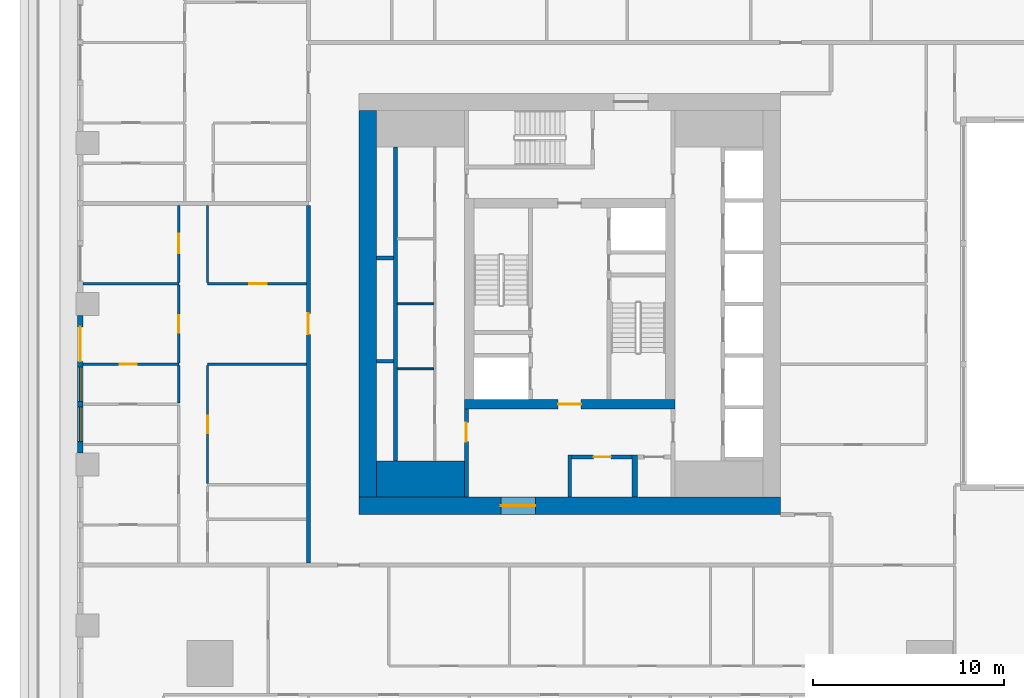
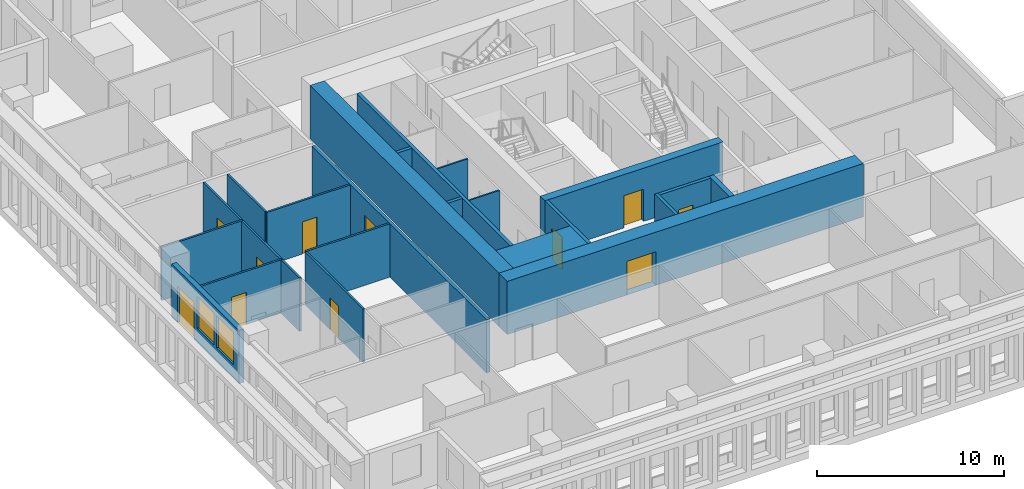
# One storey, part 3 of 15: 24 walls, 11 doors, 2 windows, 13 openings.
"""IFC4 building model written with IfcOpenShell, lengths in metres."""

import ifcopenshell
import ifcopenshell.guid

model = None  # the IFC model being written
_history = None  # IfcOwnerHistory: only IFC2X3 demands one
_inside = {}  # id of a spatial element -> (the spatial element, [elements in it])
_under = {}  # id of a project, library or spatial element -> (it, [spatial elements below it])
_declared = {}  # id of a project -> (the project, [libraries it declares])
_typed = {}  # id of a type object -> (the type object, [elements of that type])
_made_of = {}  # id of a material, layer set ... -> (it, [elements and type objects made of it])


def new_model(schema):
    """Start an empty IFC model of exactly this schema.

    Asked for "IFC4X3", IfcOpenShell would pick the latest addendum, in which some entities
    have other attributes; the version numbers below select the first issue.
    IFC2X3 requires an IfcOwnerHistory on every rooted entity: one is made here for all.
    """
    global model, _history
    if schema == "IFC4X3":
        model = ifcopenshell.file(schema_version=(4, 3, 0, 0))
    else:
        model = ifcopenshell.file(schema=schema)
    _inside.clear()
    _under.clear()
    _declared.clear()
    _typed.clear()
    _made_of.clear()
    _history = None
    if model.schema == "IFC2X3":
        org = make("IfcOrganization", Name="unknown")
        user = make(
            "IfcPersonAndOrganization",
            ThePerson=make("IfcPerson", FamilyName="unknown"),
            TheOrganization=org,
        )
        app = make(
            "IfcApplication",
            ApplicationDeveloper=org,
            Version="unknown",
            ApplicationFullName="unknown",
            ApplicationIdentifier="unknown",
        )
        _history = make(
            "IfcOwnerHistory",
            OwningUser=user,
            OwningApplication=app,
            ChangeAction="ADDED",
            CreationDate=0,
        )
    return model


def make(cls, **values):
    """One entity of the class cls with the attributes given. An attribute that is None is left unset."""
    return model.create_entity(
        cls, **{name: value for name, value in values.items() if value is not None}
    )


def rooted(cls, **values):
    """An entity with a GlobalId (a new one), such as an element, a storey or a relation."""
    return make(cls, GlobalId=ifcopenshell.guid.new(), OwnerHistory=_history, **values)


def si_unit(unit_type, name, prefix=None):
    """IfcSIUnit, for example si_unit("LENGTHUNIT", "METRE", prefix="MILLI")."""
    return make("IfcSIUnit", UnitType=unit_type, Prefix=prefix, Name=name)


def assignment(units):
    """IfcUnitAssignment: the units of a project."""
    return None if units is None else make("IfcUnitAssignment", Units=units)


def point(xyz):
    """IfcCartesianPoint."""
    return None if xyz is None else make("IfcCartesianPoint", Coordinates=xyz)


def direction(xyz):
    """IfcDirection."""
    return None if xyz is None else make("IfcDirection", DirectionRatios=xyz)


def frame(location, z_axis=None, x_axis=None):
    """IfcAxis2Placement3D, a coordinate frame: its origin and axes. An axis left out is left unset."""
    return make(
        "IfcAxis2Placement3D",
        Location=point(location),
        Axis=direction(z_axis),
        RefDirection=direction(x_axis),
    )


def frame_2d(location, x_axis=None):
    """IfcAxis2Placement2D, a coordinate frame in the plane: its origin and x axis."""
    return make(
        "IfcAxis2Placement2D", Location=point(location), RefDirection=direction(x_axis)
    )


def origin():
    """The frame at (0, 0, 0) with its axes left unset."""
    return frame((0.0, 0.0, 0.0))


def place(relative_to, where):
    """IfcLocalPlacement: puts the frame where relative to a parent placement (None: the world)."""
    return make(
        "IfcLocalPlacement", PlacementRelTo=relative_to, RelativePlacement=where
    )


def context(
    kind, dimensions, precision=None, world=None, true_north=None, identifier=None
):
    """IfcGeometricRepresentationContext, for example the 3D "Model" context."""
    return make(
        "IfcGeometricRepresentationContext",
        ContextIdentifier=identifier,
        ContextType=kind,
        CoordinateSpaceDimension=dimensions,
        Precision=precision,
        WorldCoordinateSystem=world,
        TrueNorth=true_north,
    )


def subcontext(parent, identifier, kind, view, scale=None):
    """IfcGeometricRepresentationSubContext, for example "Body" below "Model"."""
    return make(
        "IfcGeometricRepresentationSubContext",
        ContextIdentifier=identifier,
        ContextType=kind,
        ParentContext=parent,
        TargetScale=scale,
        TargetView=view,
    )


def project(units=None, contexts=None):
    """IfcProject with its units and contexts."""
    return rooted(
        "IfcProject",
        Name="project",
        RepresentationContexts=contexts,
        UnitsInContext=assignment(units),
    )


def spatial(cls, under=None, at=None, **own):
    """A site, building, storey or space (cls), placed at a placement, below another one or the project."""
    s = rooted(cls, ObjectPlacement=at, **own)
    if under is not None:
        _under.setdefault(under.id(), (under, []))[1].append(s)
    return s


def profile(cls, at=None, kind="AREA", **sizes):
    """A parametric profile (cls). Its sizes go by their IFC names, for example OverallWidth=200.0."""
    return make(cls, ProfileType=kind, Position=at, **sizes)


def rectangle(**sizes):
    """IfcRectangleProfileDef."""
    return profile("IfcRectangleProfileDef", **sizes)


def extrude(swept, where, along, depth):
    """IfcExtrudedAreaSolid: the profile swept, set in the frame where, extruded along a direction by depth."""
    return make(
        "IfcExtrudedAreaSolid",
        SweptArea=swept,
        Position=where,
        ExtrudedDirection=direction(along),
        Depth=depth,
    )


def shape(context_of_items, identifier, shape_type, items):
    """IfcShapeRepresentation: the items that make up one representation, for example the "Body"."""
    return make(
        "IfcShapeRepresentation",
        ContextOfItems=context_of_items,
        RepresentationIdentifier=identifier,
        RepresentationType=shape_type,
        Items=items,
    )


def material(Name=None, Category=None):
    """IfcMaterial."""
    return make("IfcMaterial", Name=Name, Category=Category)


def layer(
    of_material, thickness, ventilated=None, Name=None, Category=None, Priority=None
):
    """IfcMaterialLayer: one layer of a wall or slab, of a material (None: an air gap)."""
    return make(
        "IfcMaterialLayer",
        Material=of_material,
        LayerThickness=thickness,
        IsVentilated=ventilated,
        Name=Name,
        Category=Category,
        Priority=Priority,
    )


def layer_set(layers, Name=None):
    """IfcMaterialLayerSet."""
    return make("IfcMaterialLayerSet", MaterialLayers=layers, LayerSetName=Name)


def made_of(thing, what):
    """Note that an element or type object is made of a material, layer set ...; save() writes the relation."""
    if what is not None:
        _made_of.setdefault(what.id(), (what, []))[1].append(thing)
    return thing


def type_object(cls, material=None, **own):
    """A type object (cls), such as IfcWallType, which elements share."""
    return made_of(rooted(cls, **own), material)


def element(
    cls,
    number,
    at=None,
    inside=None,
    cuts=None,
    type_object=None,
    material=None,
    context=None,
    identifier="Body",
    shape_type=None,
    held_by="IfcProductDefinitionShape",
    body=None,
    shapes=None,
    **own,
):
    """One element of the class cls, such as IfcWall. Its Tag is "e" and its number.

    at: its placement. inside: the storey or other place that contains it. cuts: it is an
    opening in that element (IfcRelVoidsElement). A single representation is given by context,
    identifier, shape_type and body (its items); several are given by shapes. held_by: the class
    of the entity that holds the representations. save() writes the other relations.
    """
    e = rooted(cls, Tag="e%d" % number, ObjectPlacement=at, **own)
    if body is not None:
        shapes = [shape(context, identifier, shape_type, body)]
    if shapes is not None:
        e.Representation = make(held_by, Representations=shapes)
    if inside is not None:
        _inside.setdefault(inside.id(), (inside, []))[1].append(e)
    if cuts is not None:
        rooted(
            "IfcRelVoidsElement", RelatingBuildingElement=cuts, RelatedOpeningElement=e
        )
    if type_object is not None:
        _typed.setdefault(type_object.id(), (type_object, []))[1].append(e)
    return made_of(e, material)


def fill(opening, filler):
    """IfcRelFillsElement: the door or window that sits in an opening."""
    return rooted(
        "IfcRelFillsElement",
        RelatingOpeningElement=opening,
        RelatedBuildingElement=filler,
    )


def aggregate(whole, parts):
    """IfcRelAggregates: a whole, such as a stair, and the parts it consists of."""
    return rooted("IfcRelAggregates", RelatingObject=whole, RelatedObjects=parts)


def save(model, path):
    """Write the relations noted so far, then the file.

    IfcRelAggregates (storeys below a building ...), IfcRelContainedInSpatialStructure (elements
    in a storey), IfcRelDefinesByType, IfcRelAssociatesMaterial and IfcRelDeclares: one each for
    every whole, place, type object, material and project.
    """
    for whole, parts in _under.values():
        aggregate(whole, parts)
    for where, things in _inside.values():
        rooted(
            "IfcRelContainedInSpatialStructure",
            RelatedElements=things,
            RelatingStructure=where,
        )
    for kind, things in _typed.values():
        rooted("IfcRelDefinesByType", RelatedObjects=things, RelatingType=kind)
    for what, things in _made_of.values():
        rooted("IfcRelAssociatesMaterial", RelatedObjects=things, RelatingMaterial=what)
    for by, libraries in _declared.values():
        rooted("IfcRelDeclares", RelatingContext=by, RelatedDefinitions=libraries)
    model.write(path)


model = new_model("IFC4")

# Units and contexts
model_context = context("Model", 3, precision=1e-05, world=origin(), true_north=direction((0.0, 1.0)))
body_context = subcontext(model_context, "Body", "Model", "MODEL_VIEW")
ifc_project = project(units=[si_unit("LENGTHUNIT", "METRE"), si_unit("AREAUNIT", "SQUARE_METRE"), si_unit("VOLUMEUNIT", "CUBIC_METRE"), si_unit("PLANEANGLEUNIT", "RADIAN"), si_unit("MASSUNIT", "GRAM", prefix="KILO")], contexts=[model_context])

# Site, building, storey
site_placement = place(None, origin())
site = spatial("IfcSite", under=ifc_project, at=site_placement, CompositionType="ELEMENT")
building_placement = place(site_placement, origin())
building = spatial("IfcBuilding", under=site, at=building_placement, Name="Khepri Terraces", CompositionType="ELEMENT")
storey_placement = place(building_placement, frame((0.0, 0.0, 215.699951171875)))
storey = spatial("IfcBuildingStorey", under=building, at=storey_placement, Name="L51", CompositionType="ELEMENT", Elevation=215.699951171875)

# Walls
ifc_material_1 = material(Name="Concrete C50/60", Category="concrete")
ifc_layer_1 = layer(ifc_material_1, 1.89990234375, Name="Concrete C50/60", Category="concrete")
ifc_layer_set_1 = layer_set([ifc_layer_1], Name="Concrete C50/60")
wall_type_1 = type_object("IfcWallType", Name="Core wall 1900 C50/60", PredefinedType="SHEAR", material=ifc_layer_set_1)
wall_1_placement = place(storey_placement, frame((-10.10009765625, -9.14990234375, 0.0), z_axis=(0.0, 0.0, 1.0), x_axis=(1.0, 0.0, 0.0)))
element("IfcWall", 1, at=wall_1_placement, inside=storey, type_object=wall_type_1, Name="Core wall PR01 L51", PredefinedType="SHEAR", context=body_context, shape_type="SweptSolid", body=[
    extrude(rectangle(XDim=4.60009765625, YDim=1.89990234375, at=frame_2d((2.300048828125, 0.0))), origin(), (0.0, 0.0, 1.0), 3.47998046875),
])
ifc_layer_2 = layer(ifc_material_1, 0.199951171875, Name="Concrete C50/60", Category="concrete")
ifc_layer_set_2 = layer_set([ifc_layer_2], Name="Concrete C50/60")
wall_type_2 = type_object("IfcWallType", Name="Core wall 200 C50/60", PredefinedType="SHEAR", material=ifc_layer_set_2)
wall_2_placement = place(storey_placement, frame((-9.10009765625, -8.199951171875, 0.0), z_axis=(0.0, 0.0, 1.0), x_axis=(0.0, 1.0, 0.0)))
element("IfcWall", 2, at=wall_2_placement, inside=storey, type_object=wall_type_2, Name="Core wall SH01 L51", PredefinedType="SHEAR", context=body_context, shape_type="SweptSolid", body=[
    extrude(rectangle(XDim=16.39990234375, YDim=0.199951171875, at=frame_2d((8.199951171875, 0.0))), origin(), (0.0, 0.0, 1.0), 3.47998046875),
])
for number, where, z_axis, x_axis, name in (
    (3, (-10.10009765625, -3.0, 0.0), (0.0, 0.0, 1.0), (1.0, 0.0, 0.0), "Core wall SH06 L51"),
    (4, (-10.10009765625, 2.39990234375, 0.0), (0.0, 0.0, 1.0), (1.0, 0.0, 0.0), "Core wall SH11 L51"),
):
    element("IfcWall", number, at=place(storey_placement, frame(where, z_axis=z_axis, x_axis=x_axis)), inside=storey, type_object=wall_type_2, Name=name, PredefinedType="SHEAR", context=body_context, shape_type="SweptSolid", body=[
        extrude(rectangle(XDim=0.900146484375, YDim=0.199951171875, at=frame_2d((0.4501953125, 0.0))), origin(), (0.0, 0.0, 1.0), 3.47998046875),
    ])

# Wall, opening, door
ifc_layer_3 = layer(ifc_material_1, 0.5, Name="Concrete C50/60", Category="concrete")
ifc_layer_set_3 = layer_set([ifc_layer_3], Name="Concrete C50/60")
wall_type_3 = type_object("IfcWallType", Name="Core wall 500 C50/60", PredefinedType="SHEAR", material=ifc_layer_set_3)
wall_3_placement = place(storey_placement, frame((-5.5, -5.25, 0.0), z_axis=(0.0, 0.0, 1.0), x_axis=(1.0, 0.0, 0.0)))
wall_3 = element("IfcWall", 5, at=wall_3_placement, inside=storey, type_object=wall_type_3, Name="Core wall BX01 L51", PredefinedType="SHEAR", context=body_context, shape_type="SweptSolid", body=[
    extrude(rectangle(XDim=11.0, YDim=0.5, at=frame_2d((5.5, 0.0))), origin(), (0.0, 0.0, 1.0), 3.47998046875),
])
opening_1_placement = place(wall_3_placement, frame((4.89990234375, 0.0, 0.0)))
opening_1 = element("IfcOpeningElement", 6, at=opening_1_placement, cuts=wall_3, Name="Opening L51-C14", PredefinedType="OPENING", context=body_context, shape_type="SweptSolid", body=[
    extrude(rectangle(XDim=1.199951171875, YDim=2.10009765625, at=frame_2d((0.60009765625, 1.050048828125))), frame((0.0, 0.260009765625, 0.0), z_axis=(0.0, -1.0, 0.0), x_axis=(1.0, 0.0, 0.0)), (0.0, 0.0, 1.0), 0.52001953125),
])
ifc_material_2 = material(Name="Painted steel", Category="steel")
door_type_1 = type_object("IfcDoorType", Name="DR-CORE-FF-LOBBY-1200", OperationType="NOTDEFINED", PredefinedType="DOOR", material=ifc_material_2)
door_1_placement = place(opening_1_placement, origin())
door_1 = element("IfcDoor", 7, at=door_1_placement, inside=storey, type_object=door_type_1, Name="Firefighting lobby door L51-C14", OperationType="SINGLE_SWING_RIGHT", OverallHeight=2.10009765625, OverallWidth=1.199951171875, PredefinedType="DOOR", context=body_context, shape_type="SweptSolid", body=[
    extrude(rectangle(XDim=1.199951171875, YDim=2.10009765625, at=frame_2d((0.60009765625, 1.050048828125))), frame((0.0, 0.02490234375, 0.0), z_axis=(0.0, -1.0, 0.0), x_axis=(1.0, 0.0, 0.0)), (0.0, 0.0, 1.0), 0.050048828125),
])
fill(opening_1, door_1)

ifc_layer_4 = layer(ifc_material_1, 0.89990234375, Name="Concrete C50/60", Category="concrete")
ifc_layer_set_4 = layer_set([ifc_layer_4], Name="Concrete C50/60")
wall_type_4 = type_object("IfcWallType", Name="Core wall 900 C50/60", PredefinedType="SHEAR", material=ifc_layer_set_4)
wall_4_placement = place(storey_placement, frame((-11.0, -10.550048828125, 0.0), z_axis=(0.0, 0.0, 1.0), x_axis=(1.0, 0.0, 0.0)))
wall_4 = element("IfcWall", 8, at=wall_4_placement, inside=storey, type_object=wall_type_4, Name="Core wall OW-S L51", PredefinedType="SHEAR", context=body_context, shape_type="SweptSolid", body=[
    extrude(rectangle(XDim=22.0, YDim=0.89990234375, at=frame_2d((11.0, 0.0))), origin(), (0.0, 0.0, 1.0), 3.47998046875),
])
opening_2_placement = place(wall_4_placement, frame((7.39990234375, 0.0, 0.0)))
opening_2 = element("IfcOpeningElement", 9, at=opening_2_placement, cuts=wall_4, Name="Opening L51-C21", PredefinedType="OPENING", context=body_context, shape_type="SweptSolid", body=[
    extrude(rectangle(XDim=1.800048828125, YDim=2.199951171875, at=frame_2d((0.89990234375, 1.10009765625))), frame((0.0, 0.4599609375, 0.0), z_axis=(0.0, -1.0, 0.0), x_axis=(1.0, 0.0, 0.0)), (0.0, 0.0, 1.0), 0.919921875),
])
door_type_2 = type_object("IfcDoorType", Name="DR-CORE-ENTRANCE-1800", OperationType="NOTDEFINED", PredefinedType="DOOR", material=ifc_material_2)
door_2_placement = place(opening_2_placement, frame((1.800048828125, 0.0, 0.0), z_axis=(0.0, 0.0, 1.0), x_axis=(-1.0, 0.0, 0.0)))
door_2 = element("IfcDoor", 10, at=door_2_placement, inside=storey, type_object=door_type_2, Name="Core entrance door pair L51-C21", OperationType="DOUBLE_DOOR_SINGLE_SWING", OverallHeight=2.199951171875, OverallWidth=1.800048828125, PredefinedType="DOOR", context=body_context, shape_type="SweptSolid", body=[
    extrude(rectangle(XDim=1.800048828125, YDim=2.199951171875, at=frame_2d((0.89990234375, 1.10009765625))), frame((0.0, 0.02490234375, 0.0), z_axis=(0.0, -1.0, 0.0), x_axis=(1.0, 0.0, 0.0)), (0.0, 0.0, 1.0), 0.050048828125),
])
fill(opening_2, door_2)

# Walls
wall_5_placement = place(storey_placement, frame((-10.550048828125, -10.10009765625, 0.0), z_axis=(0.0, 0.0, 1.0), x_axis=(0.0, 1.0, 0.0)))
element("IfcWall", 11, at=wall_5_placement, inside=storey, type_object=wall_type_4, Name="Core wall OW-W L51", PredefinedType="SHEAR", context=body_context, shape_type="SweptSolid", body=[
    extrude(rectangle(XDim=20.2001953125, YDim=0.89990234375, at=frame_2d((10.10009765625, 0.0))), origin(), (0.0, 0.0, 1.0), 3.47998046875),
])
ifc_material_3 = material(Name="Fire-rated gypsum board partition")
ifc_layer_5 = layer(ifc_material_3, 0.10009765625, Name="Fire-rated gypsum board partition")
ifc_layer_set_5 = layer_set([ifc_layer_5], Name="Fire-rated gypsum board partition")
wall_type_5 = type_object("IfcWallType", Name="WL-CORE-PART-100", PredefinedType="PARTITIONING", material=ifc_layer_set_5)
for number, where, z_axis, x_axis, name in (
    (12, (-9.0, -3.39990234375, 0.0), (0.0, 0.0, 1.0), (1.0, 0.0, 0.0), "Core partition PT08 L51"),
    (13, (-9.0, 0.0, 0.0), (0.0, 0.0, 1.0), (1.0, 0.0, 0.0), "Core partition PT09 L51"),
):
    element("IfcWall", number, at=place(storey_placement, frame(where, z_axis=z_axis, x_axis=x_axis)), inside=storey, type_object=wall_type_5, Name=name, PredefinedType="PARTITIONING", context=body_context, shape_type="SweptSolid", body=[
        extrude(rectangle(XDim=1.89990234375, YDim=0.10009765625, at=frame_2d((0.949951171875, 0.0))), origin(), (0.0, 0.0, 1.0), 3.47998046875),
    ])

# Wall, opening, door
ifc_layer_6 = layer(ifc_material_3, 0.199951171875, Name="Fire-rated gypsum board partition")
ifc_layer_set_6 = layer_set([ifc_layer_6], Name="Fire-rated gypsum board partition")
wall_type_6 = type_object("IfcWallType", Name="WL-CORE-PART-200", PredefinedType="PARTITIONING", material=ifc_layer_set_6)
wall_6_placement = place(storey_placement, frame((-5.39990234375, -10.10009765625, 0.0), z_axis=(0.0, 0.0, 1.0), x_axis=(0.0, 1.0, 0.0)))
wall_6 = element("IfcWall", 14, at=wall_6_placement, inside=storey, type_object=wall_type_6, Name="Core partition PT01 L51", PredefinedType="PARTITIONING", context=body_context, shape_type="SweptSolid", body=[
    extrude(rectangle(XDim=4.60009765625, YDim=0.199951171875, at=frame_2d((2.300048828125, 0.0))), origin(), (0.0, 0.0, 1.0), 3.47998046875),
])
opening_3_placement = place(wall_6_placement, frame((2.89990234375, 0.0, 0.0)))
opening_3 = element("IfcOpeningElement", 15, at=opening_3_placement, cuts=wall_6, Name="Opening L51-C18", PredefinedType="OPENING", context=body_context, shape_type="SweptSolid", body=[
    extrude(rectangle(XDim=1.0, YDim=2.10009765625, at=frame_2d((0.5, 1.050048828125))), frame((0.0, 0.10986328125, 0.0), z_axis=(0.0, -1.0, 0.0), x_axis=(1.0, 0.0, 0.0)), (0.0, 0.0, 1.0), 0.219970703125),
])
door_type_3 = type_object("IfcDoorType", Name="DR-CORE-LOBBY-1000", OperationType="NOTDEFINED", PredefinedType="DOOR", material=ifc_material_2)
door_3_placement = place(opening_3_placement, frame((1.0, 0.0, 0.0), z_axis=(0.0, 0.0, 1.0), x_axis=(-1.0, 0.0, 0.0)))
door_3 = element("IfcDoor", 16, at=door_3_placement, inside=storey, type_object=door_type_3, Name="Lobby door L51-C18", OperationType="SINGLE_SWING_LEFT", OverallHeight=2.10009765625, OverallWidth=1.0, PredefinedType="DOOR", context=body_context, shape_type="SweptSolid", body=[
    extrude(rectangle(XDim=1.0, YDim=2.10009765625, at=frame_2d((0.5, 1.050048828125))), frame((0.0, 0.02490234375, 0.0), z_axis=(0.0, -1.0, 0.0), x_axis=(1.0, 0.0, 0.0)), (0.0, 0.0, 1.0), 0.050048828125),
])
fill(opening_3, door_3)

# Wall
wall_7_placement = place(storey_placement, frame((0.0, -10.10009765625, 0.0), z_axis=(0.0, 0.0, 1.0), x_axis=(0.0, 1.0, 0.0)))
element("IfcWall", 17, at=wall_7_placement, inside=storey, type_object=wall_type_6, Name="Core partition PT02 L51", PredefinedType="PARTITIONING", context=body_context, shape_type="SweptSolid", body=[
    extrude(rectangle(XDim=2.2001953125, YDim=0.199951171875, at=frame_2d((1.10009765625, 0.0))), origin(), (0.0, 0.0, 1.0), 3.47998046875),
])

# Wall, opening, door
wall_8_placement = place(storey_placement, frame((0.10009765625, -8.0, 0.0), z_axis=(0.0, 0.0, 1.0), x_axis=(1.0, 0.0, 0.0)))
wall_8 = element("IfcWall", 18, at=wall_8_placement, inside=storey, type_object=wall_type_6, Name="Core partition PT06 L51", PredefinedType="PARTITIONING", context=body_context, shape_type="SweptSolid", body=[
    extrude(rectangle(XDim=3.14990234375, YDim=0.199951171875, at=frame_2d((1.574951171875, 0.0))), origin(), (0.0, 0.0, 1.0), 3.47998046875),
])
opening_4_placement = place(wall_8_placement, frame((1.14990234375, 0.0, 0.0)))
opening_4 = element("IfcOpeningElement", 19, at=opening_4_placement, cuts=wall_8, Name="Opening L51-C22", PredefinedType="OPENING", context=body_context, shape_type="SweptSolid", body=[
    extrude(rectangle(XDim=0.89990234375, YDim=2.10009765625, at=frame_2d((0.449951171875, 1.050048828125))), frame((0.0, 0.10986328125, 0.0), z_axis=(0.0, -1.0, 0.0), x_axis=(1.0, 0.0, 0.0)), (0.0, 0.0, 1.0), 0.219970703125),
])
door_type_4 = type_object("IfcDoorType", Name="DR-CORE-SERVICE-900", OperationType="NOTDEFINED", PredefinedType="DOOR", material=ifc_material_2)
door_4_placement = place(opening_4_placement, frame((0.89990234375, 0.0, 0.0), z_axis=(0.0, 0.0, 1.0), x_axis=(-1.0, 0.0, 0.0)))
door_4 = element("IfcDoor", 20, at=door_4_placement, inside=storey, type_object=door_type_4, Name="Service room door L51-C22", OperationType="SINGLE_SWING_LEFT", OverallHeight=2.10009765625, OverallWidth=0.89990234375, PredefinedType="DOOR", context=body_context, shape_type="SweptSolid", body=[
    extrude(rectangle(XDim=0.89990234375, YDim=2.10009765625, at=frame_2d((0.449951171875, 1.050048828125))), frame((0.0, 0.02490234375, 0.0), z_axis=(0.0, -1.0, 0.0), x_axis=(1.0, 0.0, 0.0)), (0.0, 0.0, 1.0), 0.050048828125),
])
fill(opening_4, door_4)

# Wall
ifc_layer_7 = layer(ifc_material_3, 0.300048828125, Name="Fire-rated gypsum board partition")
ifc_layer_set_7 = layer_set([ifc_layer_7], Name="Fire-rated gypsum board partition")
wall_type_7 = type_object("IfcWallType", Name="WL-CORE-PART-300", PredefinedType="PARTITIONING", material=ifc_layer_set_7)
wall_9_placement = place(storey_placement, frame((3.39990234375, -10.10009765625, 0.0), z_axis=(0.0, 0.0, 1.0), x_axis=(0.0, 1.0, 0.0)))
element("IfcWall", 21, at=wall_9_placement, inside=storey, type_object=wall_type_7, Name="Core partition PT03 L51", PredefinedType="PARTITIONING", context=body_context, shape_type="SweptSolid", body=[
    extrude(rectangle(XDim=2.2001953125, YDim=0.300048828125, at=frame_2d((1.10009765625, 0.0))), origin(), (0.0, 0.0, 1.0), 3.47998046875),
])

# Wall, opening, door
ifc_material_4 = material(Name="Fire-rated gypsum plasterboard partition, mineral wool")
ifc_layer_8 = layer(ifc_material_4, 0.199951171875, Name="Fire-rated gypsum plasterboard partition, mineral wool")
ifc_layer_set_8 = layer_set([ifc_layer_8], Name="Fire-rated gypsum plasterboard partition, mineral wool")
wall_type_8 = type_object("IfcWallType", Name="WL-CORR-200", PredefinedType="PARTITIONING", material=ifc_layer_set_8)
wall_10_placement = place(storey_placement, frame((-13.64990234375, -13.550048828125, 0.0), z_axis=(0.0, 0.0, 1.0), x_axis=(0.0, 1.0, 0.0)))
wall_10 = element("IfcWall", 22, at=wall_10_placement, inside=storey, type_object=wall_type_8, Name="Partition P-023 L51", PredefinedType="PARTITIONING", context=body_context, shape_type="SweptSolid", body=[
    extrude(rectangle(XDim=18.699951171875, YDim=0.199951171875, at=frame_2d((9.35009765625, 0.0))), origin(), (0.0, 0.0, 1.0), 3.47998046875),
])
opening_5_placement = place(wall_10_placement, frame((11.949951171875, 0.0, 0.0)))
opening_5 = element("IfcOpeningElement", 23, at=opening_5_placement, cuts=wall_10, Name="Opening D1", PredefinedType="OPENING", context=body_context, shape_type="SweptSolid", body=[
    extrude(rectangle(XDim=1.10009765625, YDim=2.39990234375, at=frame_2d((0.550048828125, 1.199951171875))), frame((0.0, 0.10986328125, 0.0), z_axis=(0.0, -1.0, 0.0), x_axis=(1.0, 0.0, 0.0)), (0.0, 0.0, 1.0), 0.219970703125),
])
ifc_material_5 = material(Name="Solid-core timber door leaf, flat entrance door", Category="wood")
door_type_5 = type_object("IfcDoorType", Name="DR-ENT-1100", OperationType="NOTDEFINED", PredefinedType="DOOR", material=ifc_material_5)
door_5_placement = place(opening_5_placement, origin())
door_5 = element("IfcDoor", 24, at=door_5_placement, inside=storey, type_object=door_type_5, Name="Flat D2 entrance door", OperationType="SINGLE_SWING_RIGHT", OverallHeight=2.39990234375, OverallWidth=1.10009765625, PredefinedType="DOOR", context=body_context, shape_type="SweptSolid", body=[
    extrude(rectangle(XDim=1.10009765625, YDim=2.39990234375, at=frame_2d((0.550048828125, 1.199951171875))), frame((0.0, 0.02490234375, 0.0), z_axis=(0.0, -1.0, 0.0), x_axis=(1.0, 0.0, 0.0)), (0.0, 0.0, 1.0), 0.050048828125),
])
fill(opening_5, door_5)

# Wall, openings, door, windows
ifc_material_6 = material(Name="Precast concrete C50/60 warm stone", Category="masonry")
ifc_layer_9 = layer(ifc_material_6, 0.300048828125, Name="Precast concrete C50/60 warm stone", Category="masonry")
ifc_layer_set_9 = layer_set([ifc_layer_9], Name="Precast concrete C50/60 warm stone")
wall_type_9 = type_object("IfcWallType", Name="WL-EXT-PRECAST-300", PredefinedType="STANDARD", material=ifc_layer_set_9)
wall_11_placement = place(storey_placement, frame((-25.570068359375, -0.60009765625, 0.0), z_axis=(0.0, 0.0, 1.0), x_axis=(0.0, -1.0, 0.0)))
wall_11 = element("IfcWall", 25, at=wall_11_placement, inside=storey, type_object=wall_type_9, Name="External wall L51 W", PredefinedType="STANDARD", context=body_context, shape_type="SweptSolid", body=[
    extrude(rectangle(XDim=7.199951171875, YDim=0.300048828125, at=frame_2d((3.60009765625, 0.0))), origin(), (0.0, 0.0, 1.0), 3.47998046875),
])
opening_6_placement = place(wall_11_placement, frame((0.60009765625, 0.0, 0.0)))
opening_6 = element("IfcOpeningElement", 26, at=opening_6_placement, cuts=wall_11, Name="Opening ED-L51-14", PredefinedType="OPENING", context=body_context, shape_type="SweptSolid", body=[
    extrude(rectangle(XDim=1.800048828125, YDim=2.39990234375, at=frame_2d((0.89990234375, 1.199951171875))), frame((0.0, 0.16015625, 0.0), z_axis=(0.0, -1.0, 0.0), x_axis=(1.0, 0.0, 0.0)), (0.0, 0.0, 1.0), 0.320068359375),
])
opening_7_placement = place(wall_11_placement, frame((2.699951171875, 0.0, 0.89990234375)))
opening_7 = element("IfcOpeningElement", 27, at=opening_7_placement, cuts=wall_11, Name="Opening W1", PredefinedType="OPENING", context=body_context, shape_type="SweptSolid", body=[
    extrude(rectangle(XDim=1.800048828125, YDim=2.10009765625, at=frame_2d((0.89990234375, 1.050048828125))), frame((0.0, 0.16015625, 0.0), z_axis=(0.0, -1.0, 0.0), x_axis=(1.0, 0.0, 0.0)), (0.0, 0.0, 1.0), 0.320068359375),
])
opening_8_placement = place(wall_11_placement, frame((4.800048828125, 0.0, 0.89990234375)))
opening_8 = element("IfcOpeningElement", 28, at=opening_8_placement, cuts=wall_11, Name="Opening W1", PredefinedType="OPENING", context=body_context, shape_type="SweptSolid", body=[
    extrude(rectangle(XDim=1.800048828125, YDim=2.10009765625, at=frame_2d((0.89990234375, 1.050048828125))), frame((0.0, 0.16015625, 0.0), z_axis=(0.0, -1.0, 0.0), x_axis=(1.0, 0.0, 0.0)), (0.0, 0.0, 1.0), 0.320068359375),
])
ifc_material_7 = material(Name="Anodised aluminium bronze glazed door", Category="aluminium")
door_type_6 = type_object("IfcDoorType", Name="DR-BAL-SLIDE-1800x2400", OperationType="NOTDEFINED", PredefinedType="DOOR", material=ifc_material_7)
door_6_placement = place(opening_6_placement, origin())
door_6 = element("IfcDoor", 29, at=door_6_placement, inside=storey, type_object=door_type_6, Name="Balcony door L51 W", OperationType="SLIDING_TO_LEFT", OverallHeight=2.39990234375, OverallWidth=1.800048828125, PredefinedType="DOOR", context=body_context, shape_type="SweptSolid", body=[
    extrude(rectangle(XDim=1.800048828125, YDim=2.39990234375, at=frame_2d((0.89990234375, 1.199951171875))), frame((0.0, 0.02490234375, 0.0), z_axis=(0.0, -1.0, 0.0), x_axis=(1.0, 0.0, 0.0)), (0.0, 0.0, 1.0), 0.050048828125),
])
fill(opening_6, door_6)
ifc_material_8 = material(Name="Clear glass", Category="glass")
window_type = type_object("IfcWindowType", Name="WIN-RES-1800x2100", PartitioningType="SINGLE_PANEL", PredefinedType="WINDOW", material=ifc_material_8)
window_1_placement = place(opening_7_placement, origin())
window_1 = element("IfcWindow", 30, at=window_1_placement, inside=storey, type_object=window_type, Name="Window L51 W", OverallHeight=2.10009765625, OverallWidth=1.800048828125, PartitioningType="SINGLE_PANEL", PredefinedType="WINDOW", context=body_context, shape_type="SweptSolid", body=[
    extrude(rectangle(XDim=1.800048828125, YDim=2.10009765625, at=frame_2d((0.89990234375, 1.050048828125))), frame((0.0, 0.030029296875, 0.0), z_axis=(0.0, -1.0, 0.0), x_axis=(1.0, 0.0, 0.0)), (0.0, 0.0, 1.0), 0.06005859375),
])
fill(opening_7, window_1)
window_2_placement = place(opening_8_placement, origin())
window_2 = element("IfcWindow", 31, at=window_2_placement, inside=storey, type_object=window_type, Name="Window L51 W", OverallHeight=2.10009765625, OverallWidth=1.800048828125, PartitioningType="SINGLE_PANEL", PredefinedType="WINDOW", context=body_context, shape_type="SweptSolid", body=[
    extrude(rectangle(XDim=1.800048828125, YDim=2.10009765625, at=frame_2d((0.89990234375, 1.050048828125))), frame((0.0, 0.030029296875, 0.0), z_axis=(0.0, -1.0, 0.0), x_axis=(1.0, 0.0, 0.0)), (0.0, 0.0, 1.0), 0.06005859375),
])
fill(opening_8, window_2)

# Wall, opening, door
ifc_material_9 = material(Name="Gypsum plasterboard partition")
ifc_layer_10 = layer(ifc_material_9, 0.1201171875, Name="Gypsum plasterboard partition")
ifc_layer_set_10 = layer_set([ifc_layer_10], Name="Gypsum plasterboard partition")
wall_type_10 = type_object("IfcWallType", Name="WL-PART-120", PredefinedType="PARTITIONING", material=ifc_layer_set_10)
wall_12_placement = place(storey_placement, frame((-18.919921875, -9.389892578125, 0.0), z_axis=(0.0, 0.0, 1.0), x_axis=(0.0, 1.0, 0.0)))
wall_12 = element("IfcWall", 32, at=wall_12_placement, inside=storey, type_object=wall_type_10, Name="Partition P-032 L51", PredefinedType="PARTITIONING", context=body_context, shape_type="SweptSolid", body=[
    extrude(rectangle(XDim=6.179931640625, YDim=0.1201171875, at=frame_2d((3.08984375, 0.0))), origin(), (0.0, 0.0, 1.0), 3.47998046875),
])
opening_9_placement = place(wall_12_placement, frame((2.639892578125, 0.0, 0.0)))
opening_9 = element("IfcOpeningElement", 33, at=opening_9_placement, cuts=wall_12, Name="Opening D3", PredefinedType="OPENING", context=body_context, shape_type="SweptSolid", body=[
    extrude(rectangle(XDim=0.89990234375, YDim=2.10009765625, at=frame_2d((0.449951171875, 1.050048828125))), frame((0.0, 0.070068359375, 0.0), z_axis=(0.0, -1.0, 0.0), x_axis=(1.0, 0.0, 0.0)), (0.0, 0.0, 1.0), 0.14013671875),
])
ifc_material_10 = material(Name="Timber door leaf", Category="wood")
door_type_7 = type_object("IfcDoorType", Name="DR-INT-900", OperationType="NOTDEFINED", PredefinedType="DOOR", material=ifc_material_10)
door_7_placement = place(opening_9_placement, frame((0.89990234375, 0.0, 0.0), z_axis=(0.0, 0.0, 1.0), x_axis=(-1.0, 0.0, 0.0)))
door_7 = element("IfcDoor", 34, at=door_7_placement, inside=storey, type_object=door_type_7, Name="Door Kitchen", OperationType="SINGLE_SWING_LEFT", OverallHeight=2.10009765625, OverallWidth=0.89990234375, PredefinedType="DOOR", context=body_context, shape_type="SweptSolid", body=[
    extrude(rectangle(XDim=0.89990234375, YDim=2.10009765625, at=frame_2d((0.449951171875, 1.050048828125))), frame((0.0, 0.02490234375, 0.0), z_axis=(0.0, -1.0, 0.0), x_axis=(1.0, 0.0, 0.0)), (0.0, 0.0, 1.0), 0.050048828125),
])
fill(opening_9, door_7)

# Wall
wall_13_placement = place(storey_placement, frame((-20.419921875, -5.18994140625, 0.0), z_axis=(0.0, 0.0, 1.0), x_axis=(0.0, 1.0, 0.0)))
element("IfcWall", 35, at=wall_13_placement, inside=storey, type_object=wall_type_10, Name="Partition P-038 L51", PredefinedType="PARTITIONING", context=body_context, shape_type="SweptSolid", body=[
    extrude(rectangle(XDim=1.97998046875, YDim=0.1201171875, at=frame_2d((0.989990234375, 0.0))), origin(), (0.0, 0.0, 1.0), 3.47998046875),
])

# Wall, opening, door
wall_14_placement = place(storey_placement, frame((-25.419921875, -3.14990234375, 0.0), z_axis=(0.0, 0.0, 1.0), x_axis=(1.0, 0.0, 0.0)))
wall_14 = element("IfcWall", 36, at=wall_14_placement, inside=storey, type_object=wall_type_10, Name="Partition P-039 L51", PredefinedType="PARTITIONING", context=body_context, shape_type="SweptSolid", body=[
    extrude(rectangle(XDim=5.0, YDim=0.1201171875, at=frame_2d((2.5, 0.0))), origin(), (0.0, 0.0, 1.0), 3.47998046875),
])
opening_10_placement = place(wall_14_placement, frame((1.89990234375, 0.0, 0.0)))
opening_10 = element("IfcOpeningElement", 37, at=opening_10_placement, cuts=wall_14, Name="Opening D3", PredefinedType="OPENING", context=body_context, shape_type="SweptSolid", body=[
    extrude(rectangle(XDim=0.89990234375, YDim=2.10009765625, at=frame_2d((0.449951171875, 1.050048828125))), frame((0.0, 0.070068359375, 0.0), z_axis=(0.0, -1.0, 0.0), x_axis=(1.0, 0.0, 0.0)), (0.0, 0.0, 1.0), 0.14013671875),
])
door_8_placement = place(opening_10_placement, frame((0.89990234375, 0.0, 0.0), z_axis=(0.0, 0.0, 1.0), x_axis=(-1.0, 0.0, 0.0)))
door_8 = element("IfcDoor", 38, at=door_8_placement, inside=storey, type_object=door_type_7, Name="Door Dressing Room", OperationType="SINGLE_SWING_RIGHT", OverallHeight=2.10009765625, OverallWidth=0.89990234375, PredefinedType="DOOR", context=body_context, shape_type="SweptSolid", body=[
    extrude(rectangle(XDim=0.89990234375, YDim=2.10009765625, at=frame_2d((0.449951171875, 1.050048828125))), frame((0.0, 0.02490234375, 0.0), z_axis=(0.0, -1.0, 0.0), x_axis=(1.0, 0.0, 0.0)), (0.0, 0.0, 1.0), 0.050048828125),
])
fill(opening_10, door_8)

# Wall
wall_15_placement = place(storey_placement, frame((-18.919921875, -3.14990234375, 0.0), z_axis=(0.0, 0.0, 1.0), x_axis=(1.0, 0.0, 0.0)))
element("IfcWall", 39, at=wall_15_placement, inside=storey, type_object=wall_type_10, Name="Partition P-040 L51", PredefinedType="PARTITIONING", context=body_context, shape_type="SweptSolid", body=[
    extrude(rectangle(XDim=5.169921875, YDim=0.1201171875, at=frame_2d((2.5849609375, 0.0))), origin(), (0.0, 0.0, 1.0), 3.47998046875),
])

# Wall, opening, door
wall_16_placement = place(storey_placement, frame((-20.419921875, -3.090087890625, 0.0), z_axis=(0.0, 0.0, 1.0), x_axis=(0.0, 1.0, 0.0)))
wall_16 = element("IfcWall", 40, at=wall_16_placement, inside=storey, type_object=wall_type_10, Name="Partition P-042 L51", PredefinedType="PARTITIONING", context=body_context, shape_type="SweptSolid", body=[
    extrude(rectangle(XDim=4.080078125, YDim=0.1201171875, at=frame_2d((2.0400390625, 0.0))), origin(), (0.0, 0.0, 1.0), 3.47998046875),
])
opening_11_placement = place(wall_16_placement, frame((1.590087890625, 0.0, 0.0)))
opening_11 = element("IfcOpeningElement", 41, at=opening_11_placement, cuts=wall_16, Name="Opening D3", PredefinedType="OPENING", context=body_context, shape_type="SweptSolid", body=[
    extrude(rectangle(XDim=0.89990234375, YDim=2.10009765625, at=frame_2d((0.449951171875, 1.050048828125))), frame((0.0, 0.070068359375, 0.0), z_axis=(0.0, -1.0, 0.0), x_axis=(1.0, 0.0, 0.0)), (0.0, 0.0, 1.0), 0.14013671875),
])
door_9_placement = place(opening_11_placement, origin())
door_9 = element("IfcDoor", 42, at=door_9_placement, inside=storey, type_object=door_type_7, Name="Door Master Bedroom", OperationType="SINGLE_SWING_RIGHT", OverallHeight=2.10009765625, OverallWidth=0.89990234375, PredefinedType="DOOR", context=body_context, shape_type="SweptSolid", body=[
    extrude(rectangle(XDim=0.89990234375, YDim=2.10009765625, at=frame_2d((0.449951171875, 1.050048828125))), frame((0.0, 0.02490234375, 0.0), z_axis=(0.0, -1.0, 0.0), x_axis=(1.0, 0.0, 0.0)), (0.0, 0.0, 1.0), 0.050048828125),
])
fill(opening_11, door_9)

# Wall
wall_17_placement = place(storey_placement, frame((-25.419921875, 1.050048828125, 0.0), z_axis=(0.0, 0.0, 1.0), x_axis=(1.0, 0.0, 0.0)))
element("IfcWall", 43, at=wall_17_placement, inside=storey, type_object=wall_type_10, Name="Partition P-044 L51", PredefinedType="PARTITIONING", context=body_context, shape_type="SweptSolid", body=[
    extrude(rectangle(XDim=5.0, YDim=0.1201171875, at=frame_2d((2.5, 0.0))), origin(), (0.0, 0.0, 1.0), 3.47998046875),
])

# Wall, opening, door
wall_18_placement = place(storey_placement, frame((-18.919921875, 1.050048828125, 0.0), z_axis=(0.0, 0.0, 1.0), x_axis=(1.0, 0.0, 0.0)))
wall_18 = element("IfcWall", 44, at=wall_18_placement, inside=storey, type_object=wall_type_10, Name="Partition P-045 L51", PredefinedType="PARTITIONING", context=body_context, shape_type="SweptSolid", body=[
    extrude(rectangle(XDim=5.169921875, YDim=0.1201171875, at=frame_2d((2.5849609375, 0.0))), origin(), (0.0, 0.0, 1.0), 3.47998046875),
])
opening_12_placement = place(wall_18_placement, frame((2.18505859375, 0.0, 0.0)))
opening_12 = element("IfcOpeningElement", 45, at=opening_12_placement, cuts=wall_18, Name="Opening D4", PredefinedType="OPENING", context=body_context, shape_type="SweptSolid", body=[
    extrude(rectangle(XDim=0.89990234375, YDim=2.10009765625, at=frame_2d((0.449951171875, 1.050048828125))), frame((0.0, 0.070068359375, 0.0), z_axis=(0.0, -1.0, 0.0), x_axis=(1.0, 0.0, 0.0)), (0.0, 0.0, 1.0), 0.14013671875),
])
ifc_material_11 = material(Name="Timber door leaf, moisture resistant", Category="wood")
door_type_8 = type_object("IfcDoorType", Name="DR-WET-900", OperationType="NOTDEFINED", PredefinedType="DOOR", material=ifc_material_11)
door_10_placement = place(opening_12_placement, origin())
door_10 = element("IfcDoor", 46, at=door_10_placement, inside=storey, type_object=door_type_8, Name="Door Guest Bathroom", OperationType="SINGLE_SWING_RIGHT", OverallHeight=2.10009765625, OverallWidth=0.89990234375, PredefinedType="DOOR", context=body_context, shape_type="SweptSolid", body=[
    extrude(rectangle(XDim=0.89990234375, YDim=2.10009765625, at=frame_2d((0.449951171875, 1.050048828125))), frame((0.0, 0.02490234375, 0.0), z_axis=(0.0, -1.0, 0.0), x_axis=(1.0, 0.0, 0.0)), (0.0, 0.0, 1.0), 0.050048828125),
])
fill(opening_12, door_10)

wall_19_placement = place(storey_placement, frame((-20.419921875, 1.110107421875, 0.0), z_axis=(0.0, 0.0, 1.0), x_axis=(0.0, 1.0, 0.0)))
wall_19 = element("IfcWall", 47, at=wall_19_placement, inside=storey, type_object=wall_type_10, Name="Partition P-047 L51", PredefinedType="PARTITIONING", context=body_context, shape_type="SweptSolid", body=[
    extrude(rectangle(XDim=4.039794921875, YDim=0.1201171875, at=frame_2d((2.02001953125, 0.0))), origin(), (0.0, 0.0, 1.0), 3.47998046875),
])
opening_13_placement = place(wall_19_placement, frame((1.5400390625, 0.0, 0.0)))
opening_13 = element("IfcOpeningElement", 48, at=opening_13_placement, cuts=wall_19, Name="Opening D2", PredefinedType="OPENING", context=body_context, shape_type="SweptSolid", body=[
    extrude(rectangle(XDim=1.0, YDim=2.10009765625, at=frame_2d((0.5, 1.050048828125))), frame((0.0, 0.070068359375, 0.0), z_axis=(0.0, -1.0, 0.0), x_axis=(1.0, 0.0, 0.0)), (0.0, 0.0, 1.0), 0.14013671875),
])
ifc_material_12 = material(Name="Timber door leaf, living room door", Category="wood")
door_type_9 = type_object("IfcDoorType", Name="DR-INT-1000", OperationType="NOTDEFINED", PredefinedType="DOOR", material=ifc_material_12)
door_11_placement = place(opening_13_placement, origin())
door_11 = element("IfcDoor", 49, at=door_11_placement, inside=storey, type_object=door_type_9, Name="Door Sun Lounge", OperationType="SINGLE_SWING_RIGHT", OverallHeight=2.10009765625, OverallWidth=1.0, PredefinedType="DOOR", context=body_context, shape_type="SweptSolid", body=[
    extrude(rectangle(XDim=1.0, YDim=2.10009765625, at=frame_2d((0.5, 1.050048828125))), frame((0.0, 0.02490234375, 0.0), z_axis=(0.0, -1.0, 0.0), x_axis=(1.0, 0.0, 0.0)), (0.0, 0.0, 1.0), 0.050048828125),
])
fill(opening_13, door_11)

# Wall
wall_20_placement = place(storey_placement, frame((-18.919921875, 1.110107421875, 0.0), z_axis=(0.0, 0.0, 1.0), x_axis=(0.0, 1.0, 0.0)))
element("IfcWall", 50, at=wall_20_placement, inside=storey, type_object=wall_type_10, Name="Partition P-048 L51", PredefinedType="PARTITIONING", context=body_context, shape_type="SweptSolid", body=[
    extrude(rectangle(XDim=4.039794921875, YDim=0.1201171875, at=frame_2d((2.02001953125, 0.0))), origin(), (0.0, 0.0, 1.0), 3.47998046875),
])

save(model, "model.ifc")
